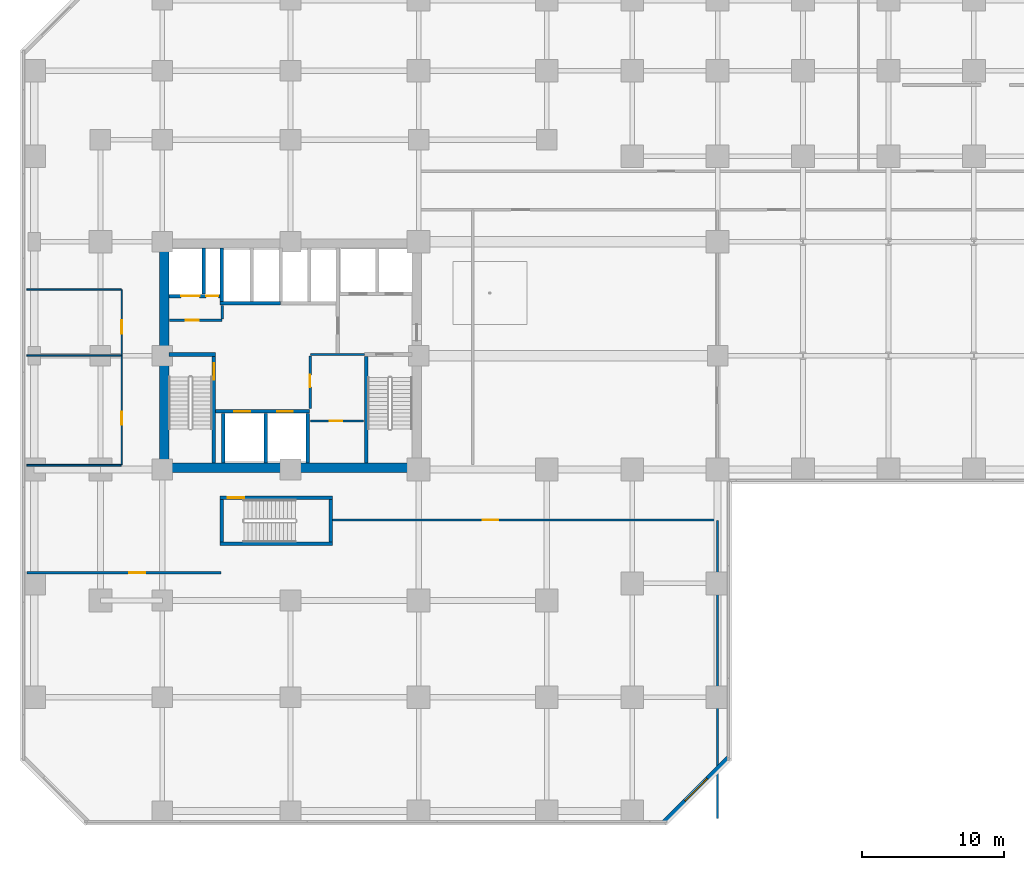
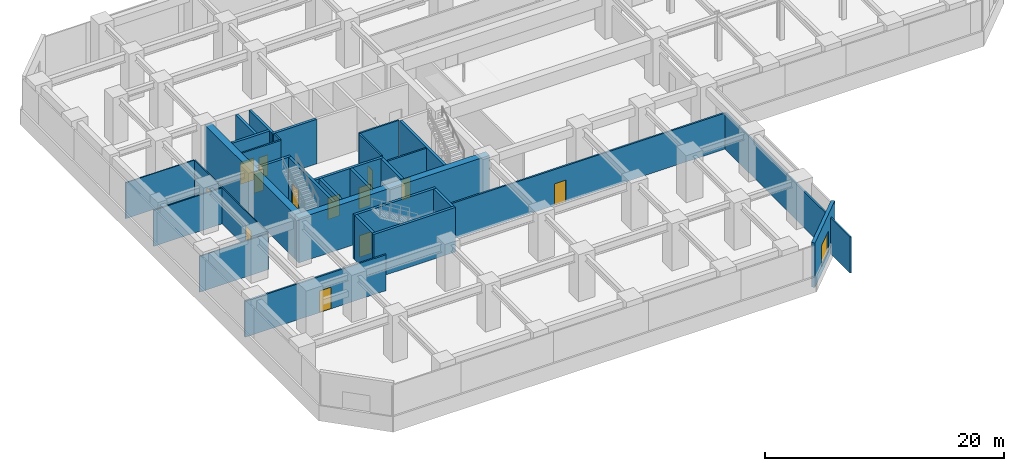
# One storey, part 3 of 12: 30 walls, 13 doors, 1 window, 14 openings.
"""IFC4 building model written with IfcOpenShell, lengths in metres."""

from ifc_helpers import new_model, si_unit, direction, frame, frame_2d, origin, place, context, subcontext, project, spatial, rectangle, extrude, source, transform, mapped, material, layer, layer_set, type_object, element, fill, save


model = new_model("IFC4")

# Units and contexts
model_context = context("Model", 3, precision=1e-05, world=origin(), true_north=direction((0.0, 1.0)))
body_context = subcontext(model_context, "Body", "Model", "MODEL_VIEW")
ifc_project = project(units=[si_unit("LENGTHUNIT", "METRE"), si_unit("AREAUNIT", "SQUARE_METRE"), si_unit("VOLUMEUNIT", "CUBIC_METRE"), si_unit("PLANEANGLEUNIT", "RADIAN"), si_unit("MASSUNIT", "GRAM", prefix="KILO")], contexts=[model_context])

# Site, building, storey
site_placement = place(None, origin())
site = spatial("IfcSite", under=ifc_project, at=site_placement, CompositionType="ELEMENT")
building_placement = place(site_placement, origin())
building = spatial("IfcBuilding", under=site, at=building_placement, Name="Torre Montelarca", CompositionType="ELEMENT")
storey_placement = place(building_placement, frame((0.0, 0.0, 17.39990234375)))
storey = spatial("IfcBuildingStorey", under=building, at=storey_placement, Name="L04", CompositionType="ELEMENT", Elevation=17.39990234375)

# Wall, opening, door
ifc_material_1 = material(Name="Concrete C40/50", Category="concrete")
ifc_layer_1 = layer(ifc_material_1, 0.25, Name="Concrete C40/50", Category="concrete")
ifc_layer_set_1 = layer_set([ifc_layer_1], Name="Concrete C40/50")
wall_type_1 = type_object("IfcWallType", Name="CW-SHAFT-250", PredefinedType="SHEAR", material=ifc_layer_set_1)
wall_1_placement = place(storey_placement, frame((12.625, 24.4599609375, 0.0), z_axis=(0.0, 0.0, 1.0), x_axis=(0.0, 1.0, 0.0)))
wall_1 = element("IfcWall", 1, at=wall_1_placement, inside=storey, type_object=wall_type_1, Name="L04 Core Shear Wall SH-ST1-E", PredefinedType="SHEAR", context=body_context, shape_type="SweptSolid", body=[
    extrude(rectangle(XDim=7.489990234375, YDim=0.25, at=frame_2d((3.7451171875, 0.0))), origin(), (0.0, 0.0, 1.0), 4.5400390625),
])
opening_1_placement = place(wall_1_placement, frame((5.85009765625, 0.0, 0.0)))
opening_1 = element("IfcOpeningElement", 2, at=opening_1_placement, cuts=wall_1, Name="Opening FD-ST1", PredefinedType="OPENING", context=body_context, shape_type="SweptSolid", body=[
    extrude(rectangle(XDim=1.14990234375, YDim=2.199951171875, at=frame_2d((0.574951171875, 1.10009765625))), frame((0.0, 0.135009765625, 0.0), z_axis=(0.0, -1.0, 0.0), x_axis=(1.0, 0.0, 0.0)), (0.0, 0.0, 1.0), 0.27001953125),
])
ifc_material_2 = material(Name="Galvanized steel fire door", Category="steel")
door_type_1 = type_object("IfcDoorType", Name="DR-STAIR-115", OperationType="NOTDEFINED", PredefinedType="DOOR", material=ifc_material_2)
shared_shape_1 = source(origin(), body_context, "Body", "SweptSolid", [
    extrude(rectangle(XDim=1.14990234375, YDim=2.199951171875, at=frame_2d((0.574951171875, 1.10009765625))), frame((0.0, 0.02490234375, 0.0), z_axis=(0.0, -1.0, 0.0), x_axis=(1.0, 0.0, 0.0)), (0.0, 0.0, 1.0), 0.050048828125),
])
door_1_placement = place(opening_1_placement, origin())
door_1 = element("IfcDoor", 3, at=door_1_placement, inside=storey, type_object=door_type_1, Name="L04 Exit Stair ST1 Fire Door", OperationType="SINGLE_SWING_RIGHT", OverallHeight=2.199951171875, OverallWidth=1.14990234375, PredefinedType="DOOR", context=body_context, shape_type="MappedRepresentation", body=[
    mapped(shared_shape_1, transform((0.0, 0.0, 0.0), scale=1.0)),
])
fill(opening_1, door_1)

# Walls
wall_2_placement = place(storey_placement, frame((9.4599609375, 32.074951171875, 0.0), z_axis=(0.0, 0.0, 1.0), x_axis=(1.0, 0.0, 0.0)))
element("IfcWall", 4, at=wall_2_placement, inside=storey, type_object=wall_type_1, Name="L04 Core Shear Wall SH-ST1-N", PredefinedType="SHEAR", context=body_context, shape_type="SweptSolid", body=[
    extrude(rectangle(XDim=3.2900390625, YDim=0.25, at=frame_2d((1.64501953125, 0.0))), origin(), (0.0, 0.0, 1.0), 4.5400390625),
])
wall_3_placement = place(storey_placement, frame((23.31494140625, 24.4599609375, 0.0), z_axis=(0.0, 0.0, 1.0), x_axis=(0.0, 1.0, 0.0)))
element("IfcWall", 5, at=wall_3_placement, inside=storey, type_object=wall_type_1, Name="L04 Core Shear Wall SH-ST2-W", PredefinedType="SHEAR", context=body_context, shape_type="SweptSolid", body=[
    extrude(rectangle(XDim=7.489990234375, YDim=0.25, at=frame_2d((3.7451171875, 0.0))), origin(), (0.0, 0.0, 1.0), 4.5400390625),
])

# Wall, openings, doors
wall_4_placement = place(storey_placement, frame((9.4599609375, 36.179931640625, 0.0), z_axis=(0.0, 0.0, 1.0), x_axis=(1.0, 0.0, 0.0)))
wall_4 = element("IfcWall", 6, at=wall_4_placement, inside=storey, type_object=wall_type_1, Name="L04 Core Shear Wall SH-SV1-S", PredefinedType="SHEAR", context=body_context, shape_type="SweptSolid", body=[
    extrude(rectangle(XDim=3.7900390625, YDim=0.25, at=frame_2d((1.89501953125, 0.0))), origin(), (0.0, 0.0, 1.0), 4.5400390625),
])
opening_2_placement = place(wall_4_placement, frame((2.6201171875, 0.0, 0.0)))
opening_2 = element("IfcOpeningElement", 7, at=opening_2_placement, cuts=wall_4, Name="Opening FD-085", PredefinedType="OPENING", context=body_context, shape_type="SweptSolid", body=[
    extrude(rectangle(XDim=0.85009765625, YDim=2.10009765625, at=frame_2d((0.425048828125, 1.050048828125))), frame((0.0, 0.135009765625, 0.0), z_axis=(0.0, -1.0, 0.0), x_axis=(1.0, 0.0, 0.0)), (0.0, 0.0, 1.0), 0.27001953125),
])
opening_3_placement = place(wall_4_placement, frame((0.85009765625, 0.0, 0.0)))
opening_3 = element("IfcOpeningElement", 8, at=opening_3_placement, cuts=wall_4, Name="Opening LD-130", PredefinedType="OPENING", context=body_context, shape_type="SweptSolid", body=[
    extrude(rectangle(XDim=1.300048828125, YDim=2.25, at=frame_2d((0.64990234375, 1.125))), frame((0.0, 0.135009765625, 0.0), z_axis=(0.0, -1.0, 0.0), x_axis=(1.0, 0.0, 0.0)), (0.0, 0.0, 1.0), 0.27001953125),
])
ifc_material_3 = material(Name="Steel riser access fire door", Category="steel")
door_type_2 = type_object("IfcDoorType", Name="DR-RISER-085", OperationType="NOTDEFINED", PredefinedType="DOOR", material=ifc_material_3)
shared_shape_2 = source(origin(), body_context, "Body", "SweptSolid", [
    extrude(rectangle(XDim=0.85009765625, YDim=2.10009765625, at=frame_2d((0.425048828125, 1.050048828125))), frame((0.0, 0.02490234375, 0.0), z_axis=(0.0, -1.0, 0.0), x_axis=(1.0, 0.0, 0.0)), (0.0, 0.0, 1.0), 0.050048828125),
])
door_2_placement = place(opening_2_placement, origin())
door_2 = element("IfcDoor", 9, at=door_2_placement, inside=storey, type_object=door_type_2, Name="L04 Electrical Riser Shaft Access Door", OperationType="SINGLE_SWING_RIGHT", OverallHeight=2.10009765625, OverallWidth=0.85009765625, PredefinedType="DOOR", context=body_context, shape_type="MappedRepresentation", body=[
    mapped(shared_shape_2, transform((0.0, 0.0, 0.0), scale=1.0)),
])
fill(opening_2, door_2)
ifc_material_4 = material(Name="Brushed stainless steel AISI 316", Category="steel")
door_type_3 = type_object("IfcDoorType", Name="DR-LIFT-130", OperationType="SLIDING_TO_LEFT", PredefinedType="DOOR", material=ifc_material_4)
shared_shape_3 = source(origin(), body_context, "Body", "SweptSolid", [
    extrude(rectangle(XDim=1.300048828125, YDim=2.25, at=frame_2d((0.64990234375, 1.125))), frame((0.0, 0.02490234375, 0.0), z_axis=(0.0, -1.0, 0.0), x_axis=(1.0, 0.0, 0.0)), (0.0, 0.0, 1.0), 0.050048828125),
])
door_3_placement = place(opening_3_placement, origin())
door_3 = element("IfcDoor", 10, at=door_3_placement, inside=storey, type_object=door_type_3, Name="L04 Lift Landing Sliding Door SV-1", OperationType="SLIDING_TO_LEFT", OverallHeight=2.25, OverallWidth=1.300048828125, PredefinedType="DOOR", context=body_context, shape_type="MappedRepresentation", body=[
    mapped(shared_shape_3, transform((0.0, 0.0, 0.0), scale=1.0)),
])
fill(opening_3, door_3)

# Wall
wall_5_placement = place(storey_placement, frame((11.89990234375, 36.31005859375, 0.0), z_axis=(0.0, 0.0, 1.0), x_axis=(0.0, 1.0, 0.0)))
element("IfcWall", 11, at=wall_5_placement, inside=storey, type_object=wall_type_1, Name="L04 Core Shear Wall SH-SV1-E", PredefinedType="SHEAR", context=body_context, shape_type="SweptSolid", body=[
    extrude(rectangle(XDim=3.22998046875, YDim=0.25, at=frame_2d((1.614990234375, 0.0))), origin(), (0.0, 0.0, 1.0), 4.5400390625),
])

# Wall, openings, doors
wall_6_placement = place(storey_placement, frame((12.6298828125, 28.080078125, 0.0), z_axis=(0.0, 0.0, 1.0), x_axis=(1.0, 0.0, 0.0)))
wall_6 = element("IfcWall", 12, at=wall_6_placement, inside=storey, type_object=wall_type_1, Name="L04 Core Shear Wall SH-PLL-N", PredefinedType="SHEAR", context=body_context, shape_type="SweptSolid", body=[
    extrude(rectangle(XDim=6.710205078125, YDim=0.25, at=frame_2d((3.35498046875, 0.0))), origin(), (0.0, 0.0, 1.0), 4.5400390625),
])
opening_4_placement = place(wall_6_placement, frame((1.429931640625, 0.0, 0.0)))
opening_4 = element("IfcOpeningElement", 13, at=opening_4_placement, cuts=wall_6, Name="Opening LD-110", PredefinedType="OPENING", context=body_context, shape_type="SweptSolid", body=[
    extrude(rectangle(XDim=1.10009765625, YDim=2.199951171875, at=frame_2d((0.550048828125, 1.10009765625))), frame((0.0, 0.135009765625, 0.0), z_axis=(0.0, -1.0, 0.0), x_axis=(1.0, 0.0, 0.0)), (0.0, 0.0, 1.0), 0.27001953125),
])
opening_5_placement = place(wall_6_placement, frame((4.429931640625, 0.0, 0.0)))
opening_5 = element("IfcOpeningElement", 14, at=opening_5_placement, cuts=wall_6, Name="Opening LD-110", PredefinedType="OPENING", context=body_context, shape_type="SweptSolid", body=[
    extrude(rectangle(XDim=1.10009765625, YDim=2.199951171875, at=frame_2d((0.550048828125, 1.10009765625))), frame((0.0, 0.135009765625, 0.0), z_axis=(0.0, -1.0, 0.0), x_axis=(1.0, 0.0, 0.0)), (0.0, 0.0, 1.0), 0.27001953125),
])
door_type_4 = type_object("IfcDoorType", Name="DR-LIFT-110", OperationType="SLIDING_TO_LEFT", PredefinedType="DOOR", material=ifc_material_4)
shared_shape_4 = source(origin(), body_context, "Body", "SweptSolid", [
    extrude(rectangle(XDim=1.10009765625, YDim=2.199951171875, at=frame_2d((0.550048828125, 1.10009765625))), frame((0.0, 0.02490234375, 0.0), z_axis=(0.0, -1.0, 0.0), x_axis=(1.0, 0.0, 0.0)), (0.0, 0.0, 1.0), 0.050048828125),
])
door_4_placement = place(opening_4_placement, origin())
door_4 = element("IfcDoor", 15, at=door_4_placement, inside=storey, type_object=door_type_4, Name="L04 Lift Landing Sliding Door PL-L1", OperationType="SLIDING_TO_LEFT", OverallHeight=2.199951171875, OverallWidth=1.10009765625, PredefinedType="DOOR", context=body_context, shape_type="MappedRepresentation", body=[
    mapped(shared_shape_4, transform((0.0, 0.0, 0.0), scale=1.0)),
])
fill(opening_4, door_4)
door_5_placement = place(opening_5_placement, origin())
door_5 = element("IfcDoor", 16, at=door_5_placement, inside=storey, type_object=door_type_4, Name="L04 Lift Landing Sliding Door PL-L2", OperationType="SLIDING_TO_RIGHT", OverallHeight=2.199951171875, OverallWidth=1.10009765625, PredefinedType="DOOR", context=body_context, shape_type="MappedRepresentation", body=[
    mapped(shared_shape_4, transform((0.0, 0.0, 0.0), scale=1.0)),
])
fill(opening_5, door_5)

# Walls
for number, where, z_axis, x_axis, name in (
    (17, (13.280029296875, 24.4599609375, 0.0), (0.0, 0.0, 1.0), (0.0, 1.0, 0.0), "L04 Core Shear Wall SH-PLL-W"),
    (18, (16.25, 24.4599609375, 0.0), (0.0, 0.0, 1.0), (0.0, 1.0, 0.0), "L04 Core Shear Wall SH-PLL-M"),
    (19, (19.219970703125, 24.4599609375, 0.0), (0.0, 0.0, 1.0), (0.0, 1.0, 0.0), "L04 Core Shear Wall SH-PLL-E"),
):
    element("IfcWall", number, at=place(storey_placement, frame(where, z_axis=z_axis, x_axis=x_axis)), inside=storey, type_object=wall_type_1, Name=name, PredefinedType="SHEAR", context=body_context, shape_type="SweptSolid", body=[
        extrude(rectangle(XDim=3.489990234375, YDim=0.25, at=frame_2d((1.7451171875, 0.0))), origin(), (0.0, 0.0, 1.0), 4.5400390625),
    ])
wall_7_placement = place(storey_placement, frame((13.06005859375, 35.679931640625, 0.0), z_axis=(0.0, 0.0, 1.0), x_axis=(1.0, 0.0, 0.0)))
element("IfcWall", 20, at=wall_7_placement, inside=storey, type_object=wall_type_1, Name="L04 Core Shear Wall SH-PLM-S", PredefinedType="SHEAR", context=body_context, shape_type="SweptSolid", body=[
    extrude(rectangle(XDim=4.25, YDim=0.25, at=frame_2d((2.125, 0.0))), origin(), (0.0, 0.0, 1.0), 4.5400390625),
])
wall_8_placement = place(storey_placement, frame((13.179931640625, 35.81005859375, 0.0), z_axis=(0.0, 0.0, 1.0), x_axis=(0.0, 1.0, 0.0)))
element("IfcWall", 21, at=wall_8_placement, inside=storey, type_object=wall_type_1, Name="L04 Core Shear Wall SH-PLM-W", PredefinedType="SHEAR", context=body_context, shape_type="SweptSolid", body=[
    extrude(rectangle(XDim=3.72998046875, YDim=0.25, at=frame_2d((1.864990234375, 0.0))), origin(), (0.0, 0.0, 1.0), 4.5400390625),
])
for number, where, z_axis, x_axis, name in (
    (22, (13.175048828125, 18.89990234375, 0.0), (0.0, 0.0, 1.0), (0.0, 1.0, 0.0), "L04 Core Shear Wall SH-ST3-W"),
    (23, (20.824951171875, 18.89990234375, 0.0), (0.0, 0.0, 1.0), (0.0, 1.0, 0.0), "L04 Core Shear Wall SH-ST3-E"),
):
    element("IfcWall", number, at=place(storey_placement, frame(where, z_axis=z_axis, x_axis=x_axis)), inside=storey, type_object=wall_type_1, Name=name, PredefinedType="SHEAR", context=body_context, shape_type="SweptSolid", body=[
        extrude(rectangle(XDim=2.989990234375, YDim=0.25, at=frame_2d((1.4951171875, 0.0))), origin(), (0.0, 0.0, 1.0), 4.5400390625),
    ])
wall_9_placement = place(storey_placement, frame((13.050048828125, 18.77490234375, 0.0), z_axis=(0.0, 0.0, 1.0), x_axis=(1.0, 0.0, 0.0)))
element("IfcWall", 24, at=wall_9_placement, inside=storey, type_object=wall_type_1, Name="L04 Core Shear Wall SH-ST3-S", PredefinedType="SHEAR", context=body_context, shape_type="SweptSolid", body=[
    extrude(rectangle(XDim=7.89990234375, YDim=0.25, at=frame_2d((3.949951171875, 0.0))), origin(), (0.0, 0.0, 1.0), 4.5400390625),
])

# Wall, opening, door
wall_10_placement = place(storey_placement, frame((13.050048828125, 22.014892578125, 0.0), z_axis=(0.0, 0.0, 1.0), x_axis=(1.0, 0.0, 0.0)))
wall_10 = element("IfcWall", 25, at=wall_10_placement, inside=storey, type_object=wall_type_1, Name="L04 Core Shear Wall SH-ST3-N", PredefinedType="SHEAR", context=body_context, shape_type="SweptSolid", body=[
    extrude(rectangle(XDim=7.89990234375, YDim=0.25, at=frame_2d((3.949951171875, 0.0))), origin(), (0.0, 0.0, 1.0), 4.5400390625),
])
opening_6_placement = place(wall_10_placement, frame((0.550048828125, 0.0, 0.0)))
opening_6 = element("IfcOpeningElement", 26, at=opening_6_placement, cuts=wall_10, Name="Opening FD-ST1", PredefinedType="OPENING", context=body_context, shape_type="SweptSolid", body=[
    extrude(rectangle(XDim=1.14990234375, YDim=2.199951171875, at=frame_2d((0.574951171875, 1.10009765625))), frame((0.0, 0.135009765625, 0.0), z_axis=(0.0, -1.0, 0.0), x_axis=(1.0, 0.0, 0.0)), (0.0, 0.0, 1.0), 0.27001953125),
])
door_6_placement = place(opening_6_placement, origin())
door_6 = element("IfcDoor", 27, at=door_6_placement, inside=storey, type_object=door_type_1, Name="L04 Exit Stair ST3 Fire Door", OperationType="SINGLE_SWING_LEFT", OverallHeight=2.199951171875, OverallWidth=1.14990234375, PredefinedType="DOOR", context=body_context, shape_type="MappedRepresentation", body=[
    mapped(shared_shape_1, transform((0.0, 0.0, 0.0), scale=1.0)),
])
fill(opening_6, door_6)

# Walls
ifc_material_5 = material(Name="Concrete C70/85", Category="concrete")
ifc_layer_2 = layer(ifc_material_5, 0.64990234375, Name="Concrete C70/85", Category="concrete")
ifc_layer_set_2 = layer_set([ifc_layer_2], Name="Concrete C70/85")
wall_type_2 = type_object("IfcWallType", Name="CW-SHEAR-650", PredefinedType="SHEAR", material=ifc_layer_set_2)
wall_11_placement = place(storey_placement, frame((9.125, 24.449951171875, 0.0), z_axis=(0.0, 0.0, 1.0), x_axis=(0.0, 1.0, 0.0)))
element("IfcWall", 28, at=wall_11_placement, inside=storey, type_object=wall_type_2, Name="L04 Core Shear Wall CW-W", PredefinedType="SHEAR", context=body_context, shape_type="SweptSolid", body=[
    extrude(rectangle(XDim=15.10009765625, YDim=0.64990234375, at=frame_2d((7.550048828125, 0.0))), origin(), (0.0, 0.0, 1.0), 4.5400390625),
])
wall_12_placement = place(storey_placement, frame((8.800048828125, 24.125, 0.0), z_axis=(0.0, 0.0, 1.0), x_axis=(1.0, 0.0, 0.0)))
element("IfcWall", 29, at=wall_12_placement, inside=storey, type_object=wall_type_2, Name="L04 Core Shear Wall CW-S1", PredefinedType="SHEAR", context=body_context, shape_type="SweptSolid", body=[
    extrude(rectangle(XDim=18.39990234375, YDim=0.64990234375, at=frame_2d((9.199951171875, 0.0))), origin(), (0.0, 0.0, 1.0), 4.5400390625),
])

# Wall, opening, window
ifc_material_6 = material(Name="Precast concrete C45/55", Category="concrete")
ifc_layer_3 = layer(ifc_material_6, 0.320068359375, Name="Precast concrete C45/55", Category="concrete")
ifc_layer_set_3 = layer_set([ifc_layer_3], Name="Precast concrete C45/55")
wall_type_3 = type_object("IfcWallType", Name="EW-CONC-320", PredefinedType="SOLIDWALL", material=ifc_layer_set_3)
wall_13_placement = place(storey_placement, frame((44.244384765625, -0.744384765625, 0.0), z_axis=(0.0, 0.0, 1.0), x_axis=(0.707106781187, 0.707106781187, 0.0)))
wall_13 = element("IfcWall", 30, at=wall_13_placement, inside=storey, type_object=wall_type_3, Name="L04 Podium Precast Concrete Wall E02", PredefinedType="SOLIDWALL", context=body_context, shape_type="SweptSolid", body=[
    extrude(rectangle(XDim=6.364013671875, YDim=0.320068359375, at=frame_2d((3.18212890625, 0.0))), origin(), (0.0, 0.0, 1.0), 4.5400390625),
])
opening_7_placement = place(wall_13_placement, frame((2.08203125, 0.0, 0.64990234375)))
opening_7 = element("IfcOpeningElement", 31, at=opening_7_placement, cuts=wall_13, Name="Opening W-03", PredefinedType="OPENING", context=body_context, shape_type="SweptSolid", body=[
    extrude(rectangle(XDim=2.199951171875, YDim=2.199951171875, at=frame_2d((1.10009765625, 1.10009765625))), frame((0.0, 0.169921875, 0.0), z_axis=(0.0, -1.0, 0.0), x_axis=(1.0, 0.0, 0.0)), (0.0, 0.0, 1.0), 0.340087890625),
])
ifc_material_7 = material(Name="Insulated low-E laminated glass in aluminium frame", Category="aluminium")
window_type = type_object("IfcWindowType", Name="WIN-W03", PartitioningType="SINGLE_PANEL", PredefinedType="WINDOW", material=ifc_material_7)
shared_shape_5 = source(origin(), body_context, "Body", "SweptSolid", [
    extrude(rectangle(XDim=2.199951171875, YDim=2.199951171875, at=frame_2d((1.10009765625, 1.10009765625))), frame((0.0, 0.030029296875, 0.0), z_axis=(0.0, -1.0, 0.0), x_axis=(1.0, 0.0, 0.0)), (0.0, 0.0, 1.0), 0.06005859375),
])
window_placement = place(opening_7_placement, origin())
window = element("IfcWindow", 32, at=window_placement, inside=storey, type_object=window_type, Name="L04 Podium Chamfer Feature Window E02", OverallHeight=2.199951171875, OverallWidth=2.199951171875, PartitioningType="SINGLE_PANEL", PredefinedType="WINDOW", context=body_context, shape_type="MappedRepresentation", body=[
    mapped(shared_shape_5, transform((0.0, 0.0, 0.0), scale=1.0)),
])
fill(opening_7, window)

# Wall, opening, door
ifc_material_8 = material(Name="Gypsum plasterboard on steel stud", Category="steel")
ifc_layer_4 = layer(ifc_material_8, 0.159912109375, Name="Gypsum plasterboard on steel stud", Category="steel")
ifc_layer_set_4 = layer_set([ifc_layer_4], Name="Gypsum plasterboard on steel stud")
wall_type_4 = type_object("IfcWallType", Name="PW-FIRE-160", PredefinedType="PARTITIONING", material=ifc_layer_set_4)
wall_14_placement = place(storey_placement, frame((9.489990234375, 34.47998046875, 0.0), z_axis=(0.0, 0.0, 1.0), x_axis=(1.0, 0.0, 0.0)))
wall_14 = element("IfcWall", 33, at=wall_14_placement, inside=storey, type_object=wall_type_4, Name="L04 Interior Partition CW-L04-SVS", PredefinedType="PARTITIONING", context=body_context, shape_type="SweptSolid", body=[
    extrude(rectangle(XDim=3.699951171875, YDim=0.159912109375, at=frame_2d((1.85009765625, 0.0))), origin(), (0.0, 0.0, 1.0), 4.5400390625),
])
opening_8_placement = place(wall_14_placement, frame((1.14990234375, 0.0, 0.0)))
opening_8 = element("IfcOpeningElement", 34, at=opening_8_placement, cuts=wall_14, Name="Opening FD-090", PredefinedType="OPENING", context=body_context, shape_type="SweptSolid", body=[
    extrude(rectangle(XDim=0.89990234375, YDim=2.14990234375, at=frame_2d((0.449951171875, 1.074951171875))), frame((0.0, 0.08984375, 0.0), z_axis=(0.0, -1.0, 0.0), x_axis=(1.0, 0.0, 0.0)), (0.0, 0.0, 1.0), 0.179931640625),
])
ifc_material_9 = material(Name="Steel service fire door", Category="steel")
door_type_5 = type_object("IfcDoorType", Name="DR-FIRE-090", OperationType="NOTDEFINED", PredefinedType="DOOR", material=ifc_material_9)
shared_shape_6 = source(origin(), body_context, "Body", "SweptSolid", [
    extrude(rectangle(XDim=0.89990234375, YDim=2.14990234375, at=frame_2d((0.449951171875, 1.074951171875))), frame((0.0, 0.02490234375, 0.0), z_axis=(0.0, -1.0, 0.0), x_axis=(1.0, 0.0, 0.0)), (0.0, 0.0, 1.0), 0.050048828125),
])
door_7_placement = place(opening_8_placement, origin())
door_7 = element("IfcDoor", 35, at=door_7_placement, inside=storey, type_object=door_type_5, Name="L04 Interior Door 01", OperationType="SINGLE_SWING_RIGHT", OverallHeight=2.14990234375, OverallWidth=0.89990234375, PredefinedType="DOOR", context=body_context, shape_type="MappedRepresentation", body=[
    mapped(shared_shape_6, transform((0.0, 0.0, 0.0), scale=1.0)),
])
fill(opening_8, door_7)

# Walls
wall_15_placement = place(storey_placement, frame((13.199951171875, 34.570068359375, 0.0), z_axis=(0.0, 0.0, 1.0), x_axis=(0.0, 1.0, 0.0)))
element("IfcWall", 36, at=wall_15_placement, inside=storey, type_object=wall_type_4, Name="L04 Interior Partition CW-L04-SVE", PredefinedType="PARTITIONING", context=body_context, shape_type="SweptSolid", body=[
    extrude(rectangle(XDim=0.93994140625, YDim=0.159912109375, at=frame_2d((0.469970703125, 0.0))), origin(), (0.0, 0.0, 1.0), 4.5400390625),
])
wall_16_placement = place(storey_placement, frame((19.389892578125, 32.080078125, 0.0), z_axis=(0.0, 0.0, 1.0), x_axis=(1.0, 0.0, 0.0)))
element("IfcWall", 37, at=wall_16_placement, inside=storey, type_object=wall_type_4, Name="L04 Interior Partition CW-L04-SEN", PredefinedType="PARTITIONING", context=body_context, shape_type="SweptSolid", body=[
    extrude(rectangle(XDim=3.820068359375, YDim=0.159912109375, at=frame_2d((1.91015625, 0.0))), origin(), (0.0, 0.0, 1.0), 4.5400390625),
])

# Wall, opening, door
wall_17_placement = place(storey_placement, frame((19.3798828125, 28.2900390625, 0.0), z_axis=(0.0, 0.0, 1.0), x_axis=(0.0, 1.0, 0.0)))
wall_17 = element("IfcWall", 38, at=wall_17_placement, inside=storey, type_object=wall_type_4, Name="L04 Interior Partition CW-L04-SEW", PredefinedType="PARTITIONING", context=body_context, shape_type="SweptSolid", body=[
    extrude(rectangle(XDim=3.669921875, YDim=0.159912109375, at=frame_2d((1.8349609375, 0.0))), origin(), (0.0, 0.0, 1.0), 4.5400390625),
])
opening_9_placement = place(wall_17_placement, frame((1.5, 0.0, 0.0)))
opening_9 = element("IfcOpeningElement", 39, at=opening_9_placement, cuts=wall_17, Name="Opening FD-085", PredefinedType="OPENING", context=body_context, shape_type="SweptSolid", body=[
    extrude(rectangle(XDim=0.85009765625, YDim=2.10009765625, at=frame_2d((0.425048828125, 1.050048828125))), frame((0.0, 0.08984375, 0.0), z_axis=(0.0, -1.0, 0.0), x_axis=(1.0, 0.0, 0.0)), (0.0, 0.0, 1.0), 0.179931640625),
])
door_8_placement = place(opening_9_placement, origin())
door_8 = element("IfcDoor", 40, at=door_8_placement, inside=storey, type_object=door_type_2, Name="L04 Interior Door 03", OperationType="SINGLE_SWING_RIGHT", OverallHeight=2.10009765625, OverallWidth=0.85009765625, PredefinedType="DOOR", context=body_context, shape_type="MappedRepresentation", body=[
    mapped(shared_shape_2, transform((0.0, 0.0, 0.0), scale=1.0)),
])
fill(opening_9, door_8)

wall_18_placement = place(storey_placement, frame((19.419921875, 27.39990234375, 0.0), z_axis=(0.0, 0.0, 1.0), x_axis=(1.0, 0.0, 0.0)))
wall_18 = element("IfcWall", 41, at=wall_18_placement, inside=storey, type_object=wall_type_4, Name="L04 Interior Partition CW-L04-SEM1", PredefinedType="PARTITIONING", context=body_context, shape_type="SweptSolid", body=[
    extrude(rectangle(XDim=3.719970703125, YDim=0.159912109375, at=frame_2d((1.85986328125, 0.0))), origin(), (0.0, 0.0, 1.0), 4.5400390625),
])
opening_10_placement = place(wall_18_placement, frame((1.35009765625, 0.0, 0.0)))
opening_10 = element("IfcOpeningElement", 42, at=opening_10_placement, cuts=wall_18, Name="Opening FD-085", PredefinedType="OPENING", context=body_context, shape_type="SweptSolid", body=[
    extrude(rectangle(XDim=0.85009765625, YDim=2.10009765625, at=frame_2d((0.425048828125, 1.050048828125))), frame((0.0, 0.08984375, 0.0), z_axis=(0.0, -1.0, 0.0), x_axis=(1.0, 0.0, 0.0)), (0.0, 0.0, 1.0), 0.179931640625),
])
door_9_placement = place(opening_10_placement, origin())
door_9 = element("IfcDoor", 43, at=door_9_placement, inside=storey, type_object=door_type_2, Name="L04 Interior Door 02", OperationType="SINGLE_SWING_LEFT", OverallHeight=2.10009765625, OverallWidth=0.85009765625, PredefinedType="DOOR", context=body_context, shape_type="MappedRepresentation", body=[
    mapped(shared_shape_2, transform((0.0, 0.0, 0.0), scale=1.0)),
])
fill(opening_10, door_9)

wall_19_placement = place(storey_placement, frame((-0.510009765625, 16.75, 0.0), z_axis=(0.0, 0.0, 1.0), x_axis=(1.0, 0.0, 0.0)))
wall_19 = element("IfcWall", 44, at=wall_19_placement, inside=storey, type_object=wall_type_4, Name="L04 Interior Partition W-L04-CSW", PredefinedType="PARTITIONING", context=body_context, shape_type="SweptSolid", body=[
    extrude(rectangle(XDim=13.6201171875, YDim=0.159912109375, at=frame_2d((6.81005859375, 0.0))), origin(), (0.0, 0.0, 1.0), 3.669677734375),
])
opening_11_placement = place(wall_19_placement, frame((7.199951171875, 0.0, 0.0)))
opening_11 = element("IfcOpeningElement", 45, at=opening_11_placement, cuts=wall_19, Name="Opening FD-110", PredefinedType="OPENING", context=body_context, shape_type="SweptSolid", body=[
    extrude(rectangle(XDim=1.10009765625, YDim=2.199951171875, at=frame_2d((0.550048828125, 1.10009765625))), frame((0.0, 0.08984375, 0.0), z_axis=(0.0, -1.0, 0.0), x_axis=(1.0, 0.0, 0.0)), (0.0, 0.0, 1.0), 0.179931640625),
])
ifc_material_10 = material(Name="Timber fire-rated suite door", Category="wood")
door_type_6 = type_object("IfcDoorType", Name="DR-FIRE-110", OperationType="NOTDEFINED", PredefinedType="DOOR", material=ifc_material_10)
shared_shape_7 = source(origin(), body_context, "Body", "SweptSolid", [
    extrude(rectangle(XDim=1.10009765625, YDim=2.199951171875, at=frame_2d((0.550048828125, 1.10009765625))), frame((0.0, 0.02490234375, 0.0), z_axis=(0.0, -1.0, 0.0), x_axis=(1.0, 0.0, 0.0)), (0.0, 0.0, 1.0), 0.050048828125),
])
door_10_placement = place(opening_11_placement, origin())
door_10 = element("IfcDoor", 46, at=door_10_placement, inside=storey, type_object=door_type_6, Name="L04 Interior Door 06", OperationType="SINGLE_SWING_LEFT", OverallHeight=2.199951171875, OverallWidth=1.10009765625, PredefinedType="DOOR", context=body_context, shape_type="MappedRepresentation", body=[
    mapped(shared_shape_7, transform((0.0, 0.0, 0.0), scale=1.0)),
])
fill(opening_11, door_10)

wall_20_placement = place(storey_placement, frame((20.889892578125, 20.449951171875, 0.0), z_axis=(0.0, 0.0, 1.0), x_axis=(1.0, 0.0, 0.0)))
wall_20 = element("IfcWall", 47, at=wall_20_placement, inside=storey, type_object=wall_type_4, Name="L04 Interior Partition W-L04-CSE", PredefinedType="PARTITIONING", context=body_context, shape_type="SweptSolid", body=[
    extrude(rectangle(XDim=27.070068359375, YDim=0.159912109375, at=frame_2d((13.53515625, 0.0))), origin(), (0.0, 0.0, 1.0), 3.669677734375),
])
opening_12_placement = place(wall_20_placement, frame((10.60009765625, 0.0, 0.0)))
opening_12 = element("IfcOpeningElement", 48, at=opening_12_placement, cuts=wall_20, Name="Opening FD-110", PredefinedType="OPENING", context=body_context, shape_type="SweptSolid", body=[
    extrude(rectangle(XDim=1.10009765625, YDim=2.199951171875, at=frame_2d((0.550048828125, 1.10009765625))), frame((0.0, 0.08984375, 0.0), z_axis=(0.0, -1.0, 0.0), x_axis=(1.0, 0.0, 0.0)), (0.0, 0.0, 1.0), 0.179931640625),
])
door_11_placement = place(opening_12_placement, origin())
door_11 = element("IfcDoor", 49, at=door_11_placement, inside=storey, type_object=door_type_6, Name="L04 Interior Door 07", OperationType="SINGLE_SWING_RIGHT", OverallHeight=2.199951171875, OverallWidth=1.10009765625, PredefinedType="DOOR", context=body_context, shape_type="MappedRepresentation", body=[
    mapped(shared_shape_7, transform((0.0, 0.0, 0.0), scale=1.0)),
])
fill(opening_12, door_11)

# Walls
wall_21_placement = place(storey_placement, frame((48.0, -0.510009765625, 0.0), z_axis=(0.0, 0.0, 1.0), x_axis=(0.0, 1.0, 0.0)))
element("IfcWall", 50, at=wall_21_placement, inside=storey, type_object=wall_type_4, Name="L04 Interior Partition W-L04-CSES", PredefinedType="PARTITIONING", context=body_context, shape_type="SweptSolid", body=[
    extrude(rectangle(XDim=20.919921875, YDim=0.159912109375, at=frame_2d((10.4599609375, 0.0))), origin(), (0.0, 0.0, 1.0), 3.675048828125),
])
ifc_material_11 = material(Name="Acoustic laminated glass partition", Category="glass")
ifc_layer_5 = layer(ifc_material_11, 0.10009765625, Name="Acoustic laminated glass partition", Category="glass")
ifc_layer_set_5 = layer_set([ifc_layer_5], Name="Acoustic laminated glass partition")
wall_type_5 = type_object("IfcWallType", Name="PW-GLAZ-100", PredefinedType="PARTITIONING", material=ifc_layer_set_5)
wall_22_placement = place(storey_placement, frame((-0.510009765625, 36.64990234375, 0.0), z_axis=(0.0, 0.0, 1.0), x_axis=(1.0, 0.0, 0.0)))
element("IfcWall", 51, at=wall_22_placement, inside=storey, type_object=wall_type_5, Name="L04 Interior Partition W-L04-WCN", PredefinedType="PARTITIONING", context=body_context, shape_type="SweptSolid", body=[
    extrude(rectangle(XDim=6.6201171875, YDim=0.10009765625, at=frame_2d((3.31005859375, 0.0))), origin(), (0.0, 0.0, 1.0), 3.675048828125),
])

# Wall, openings, doors
wall_23_placement = place(storey_placement, frame((6.14990234375, 24.340087890625, 0.0), z_axis=(0.0, 0.0, 1.0), x_axis=(0.0, 1.0, 0.0)))
wall_23 = element("IfcWall", 52, at=wall_23_placement, inside=storey, type_object=wall_type_5, Name="L04 Interior Partition W-L04-WCE", PredefinedType="PARTITIONING", context=body_context, shape_type="SweptSolid", body=[
    extrude(rectangle(XDim=12.27001953125, YDim=0.10009765625, at=frame_2d((6.135009765625, 0.0))), origin(), (0.0, 0.0, 1.0), 3.675048828125),
])
opening_13_placement = place(wall_23_placement, frame((2.800048828125, 0.0, 0.0)))
opening_13 = element("IfcOpeningElement", 53, at=opening_13_placement, cuts=wall_23, Name="Opening ID-090", PredefinedType="OPENING", context=body_context, shape_type="SweptSolid", body=[
    extrude(rectangle(XDim=0.89990234375, YDim=2.14990234375, at=frame_2d((0.449951171875, 1.074951171875))), frame((0.0, 0.06005859375, 0.0), z_axis=(0.0, -1.0, 0.0), x_axis=(1.0, 0.0, 0.0)), (0.0, 0.0, 1.0), 0.1201171875),
])
opening_14_placement = place(wall_23_placement, frame((9.199951171875, 0.0, 0.0)))
opening_14 = element("IfcOpeningElement", 54, at=opening_14_placement, cuts=wall_23, Name="Opening ID-095", PredefinedType="OPENING", context=body_context, shape_type="SweptSolid", body=[
    extrude(rectangle(XDim=0.949951171875, YDim=2.14990234375, at=frame_2d((0.47509765625, 1.074951171875))), frame((0.0, 0.06005859375, 0.0), z_axis=(0.0, -1.0, 0.0), x_axis=(1.0, 0.0, 0.0)), (0.0, 0.0, 1.0), 0.1201171875),
])
ifc_material_12 = material(Name="Hardwood acoustic timber veneer", Category="wood")
door_type_7 = type_object("IfcDoorType", Name="DR-INT-090", OperationType="NOTDEFINED", PredefinedType="DOOR", material=ifc_material_12)
shared_shape_8 = source(origin(), body_context, "Body", "SweptSolid", [
    extrude(rectangle(XDim=0.89990234375, YDim=2.14990234375, at=frame_2d((0.449951171875, 1.074951171875))), frame((0.0, 0.02490234375, 0.0), z_axis=(0.0, -1.0, 0.0), x_axis=(1.0, 0.0, 0.0)), (0.0, 0.0, 1.0), 0.050048828125),
])
door_12_placement = place(opening_13_placement, origin())
door_12 = element("IfcDoor", 55, at=door_12_placement, inside=storey, type_object=door_type_7, Name="L04 Interior Door 04", OperationType="SINGLE_SWING_LEFT", OverallHeight=2.14990234375, OverallWidth=0.89990234375, PredefinedType="DOOR", context=body_context, shape_type="MappedRepresentation", body=[
    mapped(shared_shape_8, transform((0.0, 0.0, 0.0), scale=1.0)),
])
fill(opening_13, door_12)
door_type_8 = type_object("IfcDoorType", Name="DR-INT-095", OperationType="NOTDEFINED", PredefinedType="DOOR", material=ifc_material_12)
shared_shape_9 = source(origin(), body_context, "Body", "SweptSolid", [
    extrude(rectangle(XDim=0.949951171875, YDim=2.14990234375, at=frame_2d((0.47509765625, 1.074951171875))), frame((0.0, 0.02490234375, 0.0), z_axis=(0.0, -1.0, 0.0), x_axis=(1.0, 0.0, 0.0)), (0.0, 0.0, 1.0), 0.050048828125),
])
door_13_placement = place(opening_14_placement, origin())
door_13 = element("IfcDoor", 56, at=door_13_placement, inside=storey, type_object=door_type_8, Name="L04 Interior Door 05", OperationType="SINGLE_SWING_RIGHT", OverallHeight=2.14990234375, OverallWidth=0.949951171875, PredefinedType="DOOR", context=body_context, shape_type="MappedRepresentation", body=[
    mapped(shared_shape_9, transform((0.0, 0.0, 0.0), scale=1.0)),
])
fill(opening_14, door_13)

# Walls
ifc_layer_6 = layer(ifc_material_8, 0.114990234375, Name="Gypsum plasterboard on steel stud", Category="steel")
ifc_layer_set_6 = layer_set([ifc_layer_6], Name="Gypsum plasterboard on steel stud")
wall_type_6 = type_object("IfcWallType", Name="PW-PART-115", PredefinedType="PARTITIONING", material=ifc_layer_set_6)
wall_24_placement = place(storey_placement, frame((-0.510009765625, 24.300048828125, 0.0), z_axis=(0.0, 0.0, 1.0), x_axis=(1.0, 0.0, 0.0)))
element("IfcWall", 57, at=wall_24_placement, inside=storey, type_object=wall_type_6, Name="L04 Interior Partition W-L04-WCS", PredefinedType="PARTITIONING", context=body_context, shape_type="SweptSolid", body=[
    extrude(rectangle(XDim=6.6201171875, YDim=0.114990234375, at=frame_2d((3.31005859375, 0.0))), origin(), (0.0, 0.0, 1.0), 3.669677734375),
])
wall_25_placement = place(storey_placement, frame((-0.510009765625, 32.0, 0.0), z_axis=(0.0, 0.0, 1.0), x_axis=(1.0, 0.0, 0.0)))
element("IfcWall", 58, at=wall_25_placement, inside=storey, type_object=wall_type_6, Name="L04 Interior Partition W-L04-WC1", PredefinedType="PARTITIONING", context=body_context, shape_type="SweptSolid", body=[
    extrude(rectangle(XDim=6.6201171875, YDim=0.114990234375, at=frame_2d((3.31005859375, 0.0))), origin(), (0.0, 0.0, 1.0), 3.675048828125),
])

save(model, "model.ifc")
